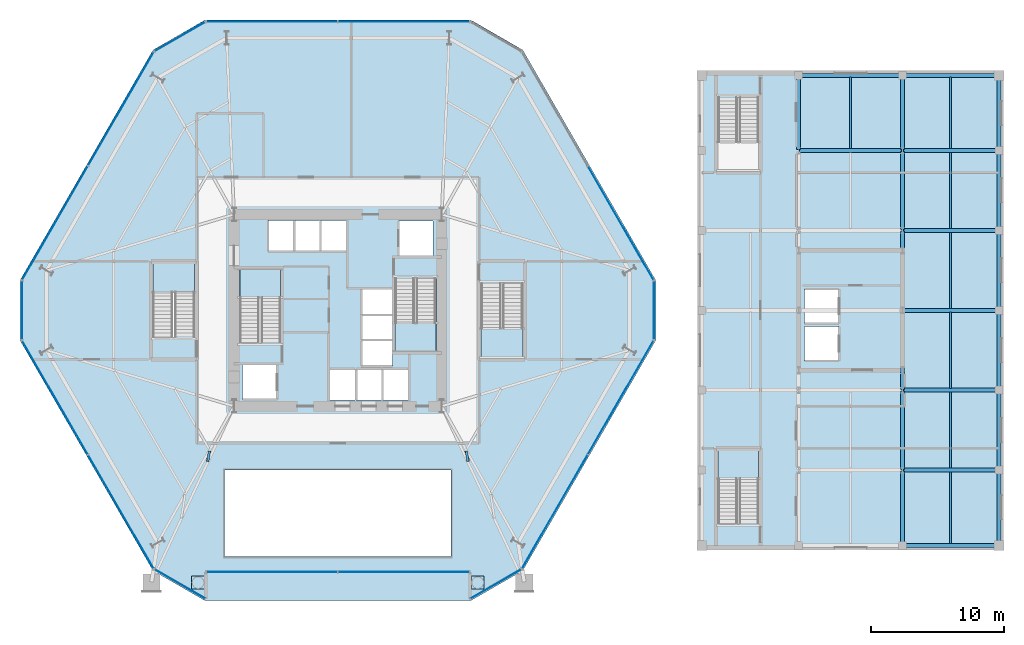
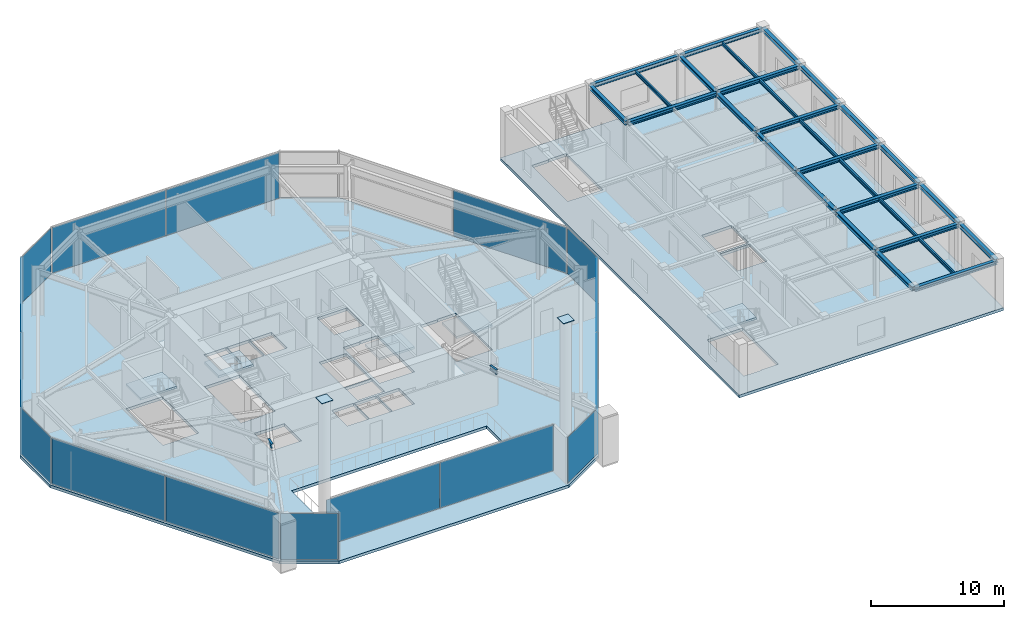
# One storey, part 14 of 22: 31 beams, 18 plates, 7 slabs, 16 elements without a shape of their own.
"""IFC4 building model written with IfcOpenShell, lengths in metres."""

from ifc_helpers import new_model, si_unit, direction, frame, origin, origin_2d, place, context, subcontext, project, spatial, polyline, rectangle, i_section, outline, extrude, material, layer, layer_set, material_profile, profile_set, type_object, element, aggregate, save


model = new_model("IFC4")

# Units and contexts
model_context = context("Model", 3, precision=1e-05, world=origin(), true_north=direction((0.0, 1.0)))
body_context = subcontext(model_context, "Body", "Model", "MODEL_VIEW")
ifc_project = project(units=[si_unit("LENGTHUNIT", "METRE"), si_unit("AREAUNIT", "SQUARE_METRE"), si_unit("VOLUMEUNIT", "CUBIC_METRE"), si_unit("PLANEANGLEUNIT", "RADIAN"), si_unit("MASSUNIT", "GRAM", prefix="KILO")], contexts=[model_context])

# Site, building, storey
site_placement = place(None, origin())
site = spatial("IfcSite", under=ifc_project, at=site_placement, CompositionType="ELEMENT")
building_placement = place(site_placement, origin())
building = spatial("IfcBuilding", under=site, at=building_placement, Name="Kranzbogen Civic Tower", CompositionType="ELEMENT")
storey_placement = place(building_placement, frame((0.0, 0.0, 5.199951171875)))
storey = spatial("IfcBuildingStorey", under=building, at=storey_placement, Name="L01", CompositionType="ELEMENT", Elevation=5.199951171875)

# Beams
ifc_material_1 = material(Name="Steel S355", Category="steel")
ifc_material_profile_1 = material_profile(ifc_material_1, i_section(OverallWidth=0.300048828125, OverallDepth=0.360107421875, WebThickness=0.012451171875, FlangeThickness=0.0224609375, at=origin_2d()), Name="HEB 360")
ifc_profile_set_1 = profile_set([ifc_material_profile_1], Name="Steel S355")
beam_type_1 = type_object("IfcBeamType", Name="Health Centre Primary Floor Beam HEB 360", PredefinedType="BEAM", material=ifc_profile_set_1)
for number, where, z_axis, x_axis, name in (
    (1, (67.4599609375, 7.35009765625, 4.16015625), (1.0, 0.0, 0.0), (0.0, 1.0, 0.0), "L01 Health Centre X girder 3-1"),
    (2, (67.4599609375, 13.0, 4.16015625), (1.0, 0.0, 0.0), (0.0, 1.0, 0.0), "L01 Health Centre X girder 3-2"),
    (3, (67.4599609375, 19.0, 4.16015625), (1.0, 0.0, 0.0), (0.0, 1.0, 0.0), "L01 Health Centre X girder 3-3"),
    (4, (67.4599609375, 25.0, 4.16015625), (1.0, 0.0, 0.0), (0.0, 1.0, 0.0), "L01 Health Centre X girder 3-4"),
    (5, (67.4599609375, 31.0, 4.16015625), (1.0, 0.0, 0.0), (0.0, 1.0, 0.0), "L01 Health Centre X girder 3-5"),
):
    element("IfcBeam", number, at=place(storey_placement, frame(where, z_axis=z_axis, x_axis=x_axis)), inside=storey, type_object=beam_type_1, Name=name, PredefinedType="BEAM", context=body_context, shape_type="SweptSolid", body=[
        extrude(i_section(OverallWidth=0.300048828125, OverallDepth=0.360107421875, WebThickness=0.012451171875, FlangeThickness=0.0224609375, at=origin_2d()), origin(), (0.0, 0.0, 1.0), 7.130126953125),
    ])
beam_1_placement = place(storey_placement, frame((59.659912109375, 37.0, 4.16015625), z_axis=(1.0, 0.0, 0.0), x_axis=(0.0, 1.0, 0.0)))
element("IfcBeam", 6, at=beam_1_placement, inside=storey, type_object=beam_type_1, Name="L01 Health Centre X girder 2-6", PredefinedType="BEAM", context=body_context, shape_type="SweptSolid", body=[
    extrude(i_section(OverallWidth=0.300048828125, OverallDepth=0.360107421875, WebThickness=0.012451171875, FlangeThickness=0.0224609375, at=origin_2d()), origin(), (0.0, 0.0, 1.0), 7.68017578125),
])
beam_2_placement = place(storey_placement, frame((67.4599609375, 37.0, 4.16015625), z_axis=(1.0, 0.0, 0.0), x_axis=(0.0, 1.0, 0.0)))
element("IfcBeam", 7, at=beam_2_placement, inside=storey, type_object=beam_type_1, Name="L01 Health Centre X girder 3-6", PredefinedType="BEAM", context=body_context, shape_type="SweptSolid", body=[
    extrude(i_section(OverallWidth=0.300048828125, OverallDepth=0.360107421875, WebThickness=0.012451171875, FlangeThickness=0.0224609375, at=origin_2d()), origin(), (0.0, 0.0, 1.0), 7.130126953125),
])
beam_3_placement = place(storey_placement, frame((59.659912109375, 42.64990234375, 4.16015625), z_axis=(1.0, 0.0, 0.0), x_axis=(0.0, 1.0, 0.0)))
element("IfcBeam", 8, at=beam_3_placement, inside=storey, type_object=beam_type_1, Name="L01 Health Centre X girder 2-7", PredefinedType="BEAM", context=body_context, shape_type="SweptSolid", body=[
    extrude(i_section(OverallWidth=0.300048828125, OverallDepth=0.360107421875, WebThickness=0.012451171875, FlangeThickness=0.0224609375, at=origin_2d()), origin(), (0.0, 0.0, 1.0), 7.68017578125),
])
beam_4_placement = place(storey_placement, frame((67.4599609375, 42.64990234375, 4.16015625), z_axis=(1.0, 0.0, 0.0), x_axis=(0.0, 1.0, 0.0)))
element("IfcBeam", 9, at=beam_4_placement, inside=storey, type_object=beam_type_1, Name="L01 Health Centre X girder 3-7", PredefinedType="BEAM", context=body_context, shape_type="SweptSolid", body=[
    extrude(i_section(OverallWidth=0.300048828125, OverallDepth=0.360107421875, WebThickness=0.012451171875, FlangeThickness=0.0224609375, at=origin_2d()), origin(), (0.0, 0.0, 1.0), 7.130126953125),
])
for number, where, z_axis, x_axis, name in (
    (10, (67.39990234375, 7.409912109375, 4.16015625), (0.0, 1.0, 0.0), (-1.0, 0.0, 0.0), "L01 Health Centre Y girder 3-1"),
    (11, (74.64990234375, 7.409912109375, 4.16015625), (0.0, 1.0, 0.0), (-1.0, 0.0, 0.0), "L01 Health Centre Y girder 4-1"),
):
    element("IfcBeam", number, at=place(storey_placement, frame(where, z_axis=z_axis, x_axis=x_axis)), inside=storey, type_object=beam_type_1, Name=name, PredefinedType="BEAM", context=body_context, shape_type="SweptSolid", body=[
        extrude(i_section(OverallWidth=0.300048828125, OverallDepth=0.360107421875, WebThickness=0.012451171875, FlangeThickness=0.0224609375, at=origin_2d()), origin(), (0.0, 0.0, 1.0), 5.530029296875),
    ])
for number, where, z_axis, x_axis, name in (
    (12, (67.39990234375, 13.06005859375, 4.16015625), (0.0, 1.0, 0.0), (-1.0, 0.0, 0.0), "L01 Health Centre Y girder 3-2"),
    (13, (74.64990234375, 13.06005859375, 4.16015625), (0.0, 1.0, 0.0), (-1.0, 0.0, 0.0), "L01 Health Centre Y girder 4-2"),
    (14, (67.39990234375, 19.06005859375, 4.16015625), (0.0, 1.0, 0.0), (-1.0, 0.0, 0.0), "L01 Health Centre Y girder 3-3"),
    (15, (74.64990234375, 19.06005859375, 4.16015625), (0.0, 1.0, 0.0), (-1.0, 0.0, 0.0), "L01 Health Centre Y girder 4-3"),
    (16, (67.39990234375, 25.06005859375, 4.16015625), (0.0, 1.0, 0.0), (-1.0, 0.0, 0.0), "L01 Health Centre Y girder 3-4"),
    (17, (74.64990234375, 25.06005859375, 4.16015625), (0.0, 1.0, 0.0), (-1.0, 0.0, 0.0), "L01 Health Centre Y girder 4-4"),
    (18, (67.39990234375, 31.06005859375, 4.16015625), (0.0, 1.0, 0.0), (-1.0, 0.0, 0.0), "L01 Health Centre Y girder 3-5"),
    (19, (74.64990234375, 31.06005859375, 4.16015625), (0.0, 1.0, 0.0), (-1.0, 0.0, 0.0), "L01 Health Centre Y girder 4-5"),
):
    element("IfcBeam", number, at=place(storey_placement, frame(where, z_axis=z_axis, x_axis=x_axis)), inside=storey, type_object=beam_type_1, Name=name, PredefinedType="BEAM", context=body_context, shape_type="SweptSolid", body=[
        extrude(i_section(OverallWidth=0.300048828125, OverallDepth=0.360107421875, WebThickness=0.012451171875, FlangeThickness=0.0224609375, at=origin_2d()), origin(), (0.0, 0.0, 1.0), 5.8798828125),
    ])
for number, where, z_axis, x_axis, name in (
    (20, (59.60009765625, 37.06005859375, 4.16015625), (0.0, 1.0, 0.0), (-1.0, 0.0, 0.0), "L01 Health Centre Y girder 2-6"),
    (21, (67.39990234375, 37.06005859375, 4.16015625), (0.0, 1.0, 0.0), (-1.0, 0.0, 0.0), "L01 Health Centre Y girder 3-6"),
    (22, (74.64990234375, 37.06005859375, 4.16015625), (0.0, 1.0, 0.0), (-1.0, 0.0, 0.0), "L01 Health Centre Y girder 4-6"),
):
    element("IfcBeam", number, at=place(storey_placement, frame(where, z_axis=z_axis, x_axis=x_axis)), inside=storey, type_object=beam_type_1, Name=name, PredefinedType="BEAM", context=body_context, shape_type="SweptSolid", body=[
        extrude(i_section(OverallWidth=0.300048828125, OverallDepth=0.360107421875, WebThickness=0.012451171875, FlangeThickness=0.0224609375, at=origin_2d()), origin(), (0.0, 0.0, 1.0), 5.530029296875),
    ])
ifc_material_profile_2 = material_profile(ifc_material_1, i_section(OverallWidth=0.14990234375, OverallDepth=0.300048828125, WebThickness=0.007080078125, FlangeThickness=0.0107421875, at=origin_2d()), Name="IPE 300")
ifc_profile_set_2 = profile_set([ifc_material_profile_2], Name="Steel S355")
beam_type_2 = type_object("IfcBeamType", Name="Health Centre Secondary Joist IPE 300", PredefinedType="JOIST", material=ifc_profile_set_2)
beam_5_placement = place(storey_placement, frame((71.02490234375, 7.489990234375, 4.18994140625), z_axis=(0.0, 1.0, 0.0), x_axis=(-1.0, 0.0, 0.0)))
element("IfcBeam", 23, at=beam_5_placement, inside=storey, type_object=beam_type_2, Name="L01 Health Centre secondary joist 3-1", PredefinedType="JOIST", context=body_context, shape_type="SweptSolid", body=[
    extrude(i_section(OverallWidth=0.14990234375, OverallDepth=0.300048828125, WebThickness=0.007080078125, FlangeThickness=0.0107421875, at=origin_2d()), origin(), (0.0, 0.0, 1.0), 5.3701171875),
])
for number, where, z_axis, x_axis, name in (
    (24, (71.02490234375, 13.139892578125, 4.18994140625), (0.0, 1.0, 0.0), (-1.0, 0.0, 0.0), "L01 Health Centre secondary joist 3-2"),
    (25, (71.02490234375, 19.139892578125, 4.18994140625), (0.0, 1.0, 0.0), (-1.0, 0.0, 0.0), "L01 Health Centre secondary joist 3-3"),
    (26, (71.02490234375, 25.139892578125, 4.18994140625), (0.0, 1.0, 0.0), (-1.0, 0.0, 0.0), "L01 Health Centre secondary joist 3-4"),
    (27, (71.02490234375, 31.139892578125, 4.18994140625), (0.0, 1.0, 0.0), (-1.0, 0.0, 0.0), "L01 Health Centre secondary joist 3-5"),
):
    element("IfcBeam", number, at=place(storey_placement, frame(where, z_axis=z_axis, x_axis=x_axis)), inside=storey, type_object=beam_type_2, Name=name, PredefinedType="JOIST", context=body_context, shape_type="SweptSolid", body=[
        extrude(i_section(OverallWidth=0.14990234375, OverallDepth=0.300048828125, WebThickness=0.007080078125, FlangeThickness=0.0107421875, at=origin_2d()), origin(), (0.0, 0.0, 1.0), 5.72021484375),
    ])
for number, where, z_axis, x_axis, name in (
    (28, (63.5, 37.139892578125, 4.18994140625), (0.0, 1.0, 0.0), (-1.0, 0.0, 0.0), "L01 Health Centre secondary joist 2-6"),
    (29, (71.02490234375, 37.139892578125, 4.18994140625), (0.0, 1.0, 0.0), (-1.0, 0.0, 0.0), "L01 Health Centre secondary joist 3-6"),
):
    element("IfcBeam", number, at=place(storey_placement, frame(where, z_axis=z_axis, x_axis=x_axis)), inside=storey, type_object=beam_type_2, Name=name, PredefinedType="JOIST", context=body_context, shape_type="SweptSolid", body=[
        extrude(i_section(OverallWidth=0.14990234375, OverallDepth=0.300048828125, WebThickness=0.007080078125, FlangeThickness=0.0107421875, at=origin_2d()), origin(), (0.0, 0.0, 1.0), 5.3701171875),
    ])
ifc_material_profile_3 = material_profile(ifc_material_1, i_section(OverallWidth=0.179931640625, OverallDepth=0.39990234375, WebThickness=0.008544921875, FlangeThickness=0.013427734375, at=origin_2d()), Name="IPE 400")
ifc_profile_set_3 = profile_set([ifc_material_profile_3], Name="Steel S355")
beam_type_3 = type_object("IfcBeamType", Name="Secondary Composite Floor Joist IPE 400", PredefinedType="JOIST", material=ifc_profile_set_3)
for number, where, z_axis, x_axis, name in (
    (30, (15.35400390625, 14.43603515625, 4.14013671875), (-0.156102387059, -0.987740879358, 0.0), (0.987740879358, -0.156102387059, 0.0), "L01 secondary floor joist 2.02"),
    (31, (34.77197265625, 13.638916015625, 4.14013671875), (-0.156102387059, 0.987740879358, 0.0), (-0.987740879358, -0.156102387059, 0.0), "L01 secondary floor joist 2.04"),
):
    element("IfcBeam", number, at=place(storey_placement, frame(where, z_axis=z_axis, x_axis=x_axis)), inside=storey, type_object=beam_type_3, Name=name, PredefinedType="JOIST", context=body_context, shape_type="SweptSolid", body=[
        extrude(i_section(OverallWidth=0.179931640625, OverallDepth=0.39990234375, WebThickness=0.008544921875, FlangeThickness=0.013427734375, at=origin_2d()), origin(), (0.0, 0.0, 1.0), 0.80712890625),
    ])

# Slabs
ifc_material_2 = material(Name="Concrete C40/50", Category="concrete")
ifc_layer_1 = layer(ifc_material_2, 0.260009765625, Name="Concrete C40/50")
ifc_layer_set_1 = layer_set([ifc_layer_1], Name="Concrete C40/50")
slab_type_1 = type_object("IfcSlabType", Name="Composite Podium and Sky Lobby Floor Slab 260 mm", PredefinedType="FLOOR", material=ifc_layer_set_1)
slab_1_placement = place(storey_placement, frame((0.0, 0.0, -0.260009765625)))
element("IfcSlab", 32, at=slab_1_placement, inside=storey, type_object=slab_type_1, Name="L01 tower floor slab", PredefinedType="FLOOR", context=body_context, shape_type="SweptSolid", body=[
    extrude(outline(polyline([(48.873046875, 27.25), (38.885009765625, 44.550048828125), (34.988037109375, 46.800048828125), (15.011962890625, 46.800048828125), (11.114990234375, 44.550048828125), (1.126953125, 27.25), (1.126953125, 22.75), (11.114990234375, 5.449951171875), (15.011962890625, 3.199951171875), (34.988037109375, 3.199951171875), (38.885009765625, 5.449951171875), (48.873046875, 22.75), (48.873046875, 27.25)]), holes=[polyline([(33.5, 6.5), (16.5, 6.5), (16.5, 13.0), (33.5, 13.0), (33.5, 6.5)]), polyline([(26.300048828125, 18.25), (24.39990234375, 18.25), (24.39990234375, 20.60009765625), (26.300048828125, 20.60009765625), (26.300048828125, 18.25)]), polyline([(28.27490234375, 18.25), (26.375, 18.25), (26.375, 20.60009765625), (28.27490234375, 20.60009765625), (28.27490234375, 18.25)]), polyline([(20.449951171875, 18.300048828125), (17.85009765625, 18.300048828125), (17.85009765625, 20.89990234375), (20.449951171875, 20.89990234375), (20.449951171875, 18.300048828125)]), polyline([(26.75, 20.800048828125), (26.75, 22.699951171875), (29.10009765625, 22.699951171875), (29.10009765625, 20.800048828125), (26.75, 20.800048828125)]), polyline([(20.699951171875, 28.10009765625), (20.699951171875, 22.659912109375), (19.25, 22.659912109375), (19.25, 22.60009765625), (17.64990234375, 22.60009765625), (17.64990234375, 28.10009765625), (20.699951171875, 28.10009765625)]), polyline([(14.25, 28.550048828125), (14.25, 23.06005859375), (12.75, 23.06005859375), (12.75, 23.0), (11.10009765625, 23.0), (11.10009765625, 28.550048828125), (14.25, 28.550048828125)]), polyline([(19.75, 31.75), (21.64990234375, 31.75), (21.64990234375, 29.39990234375), (19.75, 29.39990234375), (19.75, 31.75)]), polyline([(21.72509765625, 31.75), (23.625, 31.75), (23.625, 29.39990234375), (21.72509765625, 29.39990234375), (21.72509765625, 31.75)]), polyline([(25.60009765625, 29.39990234375), (23.699951171875, 29.39990234375), (23.699951171875, 31.75), (25.60009765625, 31.75), (25.60009765625, 29.39990234375)]), polyline([(30.25, 18.25), (28.35009765625, 18.25), (28.35009765625, 20.60009765625), (30.25, 20.60009765625), (30.25, 18.25)]), polyline([(35.75, 26.93994140625), (37.25, 26.93994140625), (37.25, 27.0), (38.89990234375, 27.0), (38.89990234375, 21.449951171875), (35.75, 21.449951171875), (35.75, 26.93994140625)]), polyline([(29.300048828125, 21.89990234375), (29.300048828125, 27.340087890625), (30.75, 27.340087890625), (30.75, 27.39990234375), (32.35009765625, 27.39990234375), (32.35009765625, 21.89990234375), (29.300048828125, 21.89990234375)]), polyline([(26.75, 26.550048828125), (29.10009765625, 26.550048828125), (29.10009765625, 24.675048828125), (29.10009765625, 24.64990234375), (29.10009765625, 22.77490234375), (26.75, 22.77490234375), (26.75, 24.64990234375), (26.75, 24.675048828125), (26.75, 26.550048828125)]), polyline([(29.550048828125, 31.699951171875), (32.14990234375, 31.699951171875), (32.14990234375, 29.10009765625), (29.550048828125, 29.10009765625), (29.550048828125, 31.699951171875)])]), origin(), (0.0, 0.0, 1.0), 0.260009765625),
])
slab_2_placement = place(storey_placement, frame((0.0, 0.0, -0.260009765625)))
element("IfcSlab", 33, at=slab_2_placement, inside=storey, type_object=slab_type_1, Name="L01 Community Health Centre floor slab", PredefinedType="FLOOR", context=body_context, shape_type="SweptSolid", body=[
    extrude(outline(polyline([(75.0, 7.0), (75.0, 43.0), (52.0, 43.0), (52.0, 7.0), (75.0, 7.0)]), holes=[polyline([(55.14990234375, 9.06005859375), (55.14990234375, 9.0), (53.550048828125, 9.0), (53.550048828125, 14.5), (56.60009765625, 14.5), (56.60009765625, 9.06005859375), (55.14990234375, 9.06005859375)]), polyline([(60.050048828125, 21.199951171875), (60.050048828125, 23.800048828125), (62.64990234375, 23.800048828125), (62.64990234375, 21.199951171875), (60.050048828125, 21.199951171875)]), polyline([(62.64990234375, 24.0), (60.050048828125, 24.0), (60.050048828125, 26.60009765625), (62.64990234375, 26.60009765625), (62.64990234375, 24.0)]), polyline([(55.0, 41.0), (56.60009765625, 41.0), (56.60009765625, 35.5), (53.550048828125, 35.5), (53.550048828125, 40.93994140625), (55.0, 40.93994140625), (55.0, 41.0)])]), origin(), (0.0, 0.0, 1.0), 0.260009765625),
])

# Curtain wall, plate
ifc_material_3 = material(Name="Pale Anodised Aluminium", Category="aluminium")
ifc_layer_2 = layer(ifc_material_3, 0.219970703125, Name="Pale Anodised Aluminium")
ifc_layer_set_2 = layer_set([ifc_layer_2], Name="Pale Anodised Aluminium")
curtain_wall_type_1 = type_object("IfcCurtainWallType", Name="Chamfer Facet Stick Curtain Wall System CW-06", PredefinedType="USERDEFINED", material=ifc_layer_set_2)
curtain_wall_1_placement = place(storey_placement, origin())
curtain_wall_1 = element("IfcCurtainWall", 34, at=curtain_wall_1_placement, inside=storey, type_object=curtain_wall_type_1, Name="L01 curtain wall CW-L01-C2", ObjectType="STICK CURTAIN WALL", PredefinedType="USERDEFINED")
ifc_material_4 = material(Name="Low-E Triple Glazing Glass", Category="glass")
ifc_layer_3 = layer(ifc_material_4, 0.02587890625, Name="Low-E Triple Glazing Glass")
ifc_layer_set_3 = layer_set([ifc_layer_3], Name="Low-E Triple Glazing Glass")
plate_type_1 = type_object("IfcPlateType", Name="Insulated Low-E Glazing Panel 26 mm", PredefinedType="CURTAIN_PANEL", material=ifc_layer_set_3)
plate_1_placement = place(storey_placement, frame((13.133056640625, 45.554443359375, 0.06005859375), z_axis=(0.0, 0.0, 1.0), x_axis=(-0.865992001897, -0.500057849305, 0.0)))
plate_1 = element("IfcPlate", 35, at=plate_1_placement, type_object=plate_type_1, Name="CW-06 panel 1.1", PredefinedType="CURTAIN_PANEL", context=body_context, shape_type="SweptSolid", body=[
    extrude(rectangle(XDim=4.353515625, YDim=0.028076171875, at=origin_2d()), origin(), (0.0, 0.0, 1.0), 4.219970703125),
])
aggregate(curtain_wall_1, [plate_1])

curtain_wall_2_placement = place(storey_placement, origin())
curtain_wall_2 = element("IfcCurtainWall", 36, at=curtain_wall_2_placement, inside=storey, type_object=curtain_wall_type_1, Name="L01 curtain wall CW-L01-C3", ObjectType="STICK CURTAIN WALL", PredefinedType="USERDEFINED")
plate_2_placement = place(storey_placement, frame((1.26611328125, 25.0, 0.06005859375), z_axis=(0.0, 0.0, 1.0), x_axis=(0.0, -1.0, 0.0)))
plate_2 = element("IfcPlate", 37, at=plate_2_placement, type_object=plate_type_1, Name="CW-06 panel 1.1", PredefinedType="CURTAIN_PANEL", context=body_context, shape_type="SweptSolid", body=[
    extrude(rectangle(XDim=4.35400390625, YDim=0.028076171875, at=origin_2d()), origin(), (0.0, 0.0, 1.0), 4.219970703125),
])
aggregate(curtain_wall_2, [plate_2])

curtain_wall_3_placement = place(storey_placement, origin())
curtain_wall_3 = element("IfcCurtainWall", 38, at=curtain_wall_3_placement, inside=storey, type_object=curtain_wall_type_1, Name="L01 curtain wall CW-L01-C4", ObjectType="STICK CURTAIN WALL", PredefinedType="USERDEFINED")
plate_3_placement = place(storey_placement, frame((13.133056640625, 4.445556640625, 0.06005859375), z_axis=(0.0, 0.0, 1.0), x_axis=(0.865992001897, -0.500057849305, 0.0)))
plate_3 = element("IfcPlate", 39, at=plate_3_placement, type_object=plate_type_1, Name="CW-06 panel 1.1", PredefinedType="CURTAIN_PANEL", context=body_context, shape_type="SweptSolid", body=[
    extrude(rectangle(XDim=4.353515625, YDim=0.028076171875, at=origin_2d()), origin(), (0.0, 0.0, 1.0), 4.219970703125),
])
aggregate(curtain_wall_3, [plate_3])

curtain_wall_4_placement = place(storey_placement, origin())
curtain_wall_4 = element("IfcCurtainWall", 40, at=curtain_wall_4_placement, inside=storey, type_object=curtain_wall_type_1, Name="L01 curtain wall CW-L01-C5", ObjectType="STICK CURTAIN WALL", PredefinedType="USERDEFINED")
plate_4_placement = place(storey_placement, frame((36.866943359375, 4.445556640625, 0.06005859375), z_axis=(0.0, 0.0, 1.0), x_axis=(0.865992001897, 0.500057849305, 0.0)))
plate_4 = element("IfcPlate", 41, at=plate_4_placement, type_object=plate_type_1, Name="CW-06 panel 1.1", PredefinedType="CURTAIN_PANEL", context=body_context, shape_type="SweptSolid", body=[
    extrude(rectangle(XDim=4.353515625, YDim=0.028076171875, at=origin_2d()), origin(), (0.0, 0.0, 1.0), 4.219970703125),
])
aggregate(curtain_wall_4, [plate_4])

curtain_wall_5_placement = place(storey_placement, origin())
curtain_wall_5 = element("IfcCurtainWall", 42, at=curtain_wall_5_placement, inside=storey, type_object=curtain_wall_type_1, Name="L01 curtain wall CW-L01-C6", ObjectType="STICK CURTAIN WALL", PredefinedType="USERDEFINED")
plate_5_placement = place(storey_placement, frame((48.73388671875, 25.0, 0.06005859375), z_axis=(0.0, 0.0, 1.0), x_axis=(0.0, 1.0, 0.0)))
plate_5 = element("IfcPlate", 43, at=plate_5_placement, type_object=plate_type_1, Name="CW-06 panel 1.1", PredefinedType="CURTAIN_PANEL", context=body_context, shape_type="SweptSolid", body=[
    extrude(rectangle(XDim=4.35400390625, YDim=0.028076171875, at=origin_2d()), origin(), (0.0, 0.0, 1.0), 4.219970703125),
])
aggregate(curtain_wall_5, [plate_5])

ifc_layer_4 = layer(ifc_material_3, 0.219970703125, Name="Pale Anodised Aluminium")
ifc_layer_set_4 = layer_set([ifc_layer_4], Name="Pale Anodised Aluminium")
curtain_wall_type_2 = type_object("IfcCurtainWallType", Name="Podium Stick Curtain Wall System CW-01", PredefinedType="USERDEFINED", material=ifc_layer_set_4)
curtain_wall_6_placement = place(storey_placement, origin())
curtain_wall_6 = element("IfcCurtainWall", 44, at=curtain_wall_6_placement, inside=storey, type_object=curtain_wall_type_2, Name="L01 curtain wall CW-L01-F1", ObjectType="STICK CURTAIN WALL", PredefinedType="USERDEFINED")
ifc_layer_5 = layer(ifc_material_4, 0.035888671875, Name="Low-E Triple Glazing Glass")
ifc_layer_set_5 = layer_set([ifc_layer_5], Name="Low-E Triple Glazing Glass")
plate_type_2 = type_object("IfcPlateType", Name="Insulated Low-E Glazing Panel 36 mm", PredefinedType="CURTAIN_PANEL", material=ifc_layer_set_5)
plate_6_placement = place(storey_placement, frame((46.243896484375, 31.5498046875, 0.06005859375), z_axis=(0.0, 0.0, 1.0), x_axis=(-0.500005767433, 0.86602207393, 0.0)))
plate_6 = element("IfcPlate", 45, at=plate_6_placement, type_object=plate_type_2, Name="CW-01 panel 1.1", PredefinedType="CURTAIN_PANEL", context=body_context, shape_type="SweptSolid", body=[
    extrude(rectangle(XDim=9.83984375, YDim=0.028076171875, at=origin_2d()), origin(), (0.0, 0.0, 1.0), 4.219970703125),
])
aggregate(curtain_wall_6, [plate_6])

# Curtain wall, plates
curtain_wall_7_placement = place(storey_placement, origin())
curtain_wall_7 = element("IfcCurtainWall", 46, at=curtain_wall_7_placement, inside=storey, type_object=curtain_wall_type_2, Name="L01 curtain wall CW-L01-F2", ObjectType="STICK CURTAIN WALL", PredefinedType="USERDEFINED")
plate_7_placement = place(storey_placement, frame((29.949951171875, 46.673095703125, 0.06005859375), z_axis=(0.0, 0.0, 1.0), x_axis=(-1.0, 0.0, 0.0)))
plate_7 = element("IfcPlate", 47, at=plate_7_placement, type_object=plate_type_2, Name="CW-01 panel 1.1", PredefinedType="CURTAIN_PANEL", context=body_context, shape_type="SweptSolid", body=[
    extrude(rectangle(XDim=9.840087890625, YDim=0.028076171875, at=origin_2d()), origin(), (0.0, 0.0, 1.0), 4.219970703125),
])
plate_8_placement = place(storey_placement, frame((20.050048828125, 46.673095703125, 0.06005859375), z_axis=(0.0, 0.0, 1.0), x_axis=(-1.0, 0.0, 0.0)))
plate_8 = element("IfcPlate", 48, at=plate_8_placement, type_object=plate_type_2, Name="CW-01 panel 2.1", PredefinedType="CURTAIN_PANEL", context=body_context, shape_type="SweptSolid", body=[
    extrude(rectangle(XDim=9.840087890625, YDim=0.028076171875, at=origin_2d()), origin(), (0.0, 0.0, 1.0), 4.219970703125),
])
aggregate(curtain_wall_7, [plate_7, plate_8])

curtain_wall_8_placement = place(storey_placement, origin())
curtain_wall_8 = element("IfcCurtainWall", 49, at=curtain_wall_8_placement, inside=storey, type_object=curtain_wall_type_2, Name="L01 curtain wall CW-L01-F3", ObjectType="STICK CURTAIN WALL", PredefinedType="USERDEFINED")
plate_9_placement = place(storey_placement, frame((8.7060546875, 40.123291015625, 0.06005859375), z_axis=(0.0, 0.0, 1.0), x_axis=(-0.500005767433, -0.86602207393, 0.0)))
plate_9 = element("IfcPlate", 50, at=plate_9_placement, type_object=plate_type_2, Name="CW-01 panel 1.1", PredefinedType="CURTAIN_PANEL", context=body_context, shape_type="SweptSolid", body=[
    extrude(rectangle(XDim=9.83984375, YDim=0.028076171875, at=origin_2d()), origin(), (0.0, 0.0, 1.0), 4.219970703125),
])
plate_10_placement = place(storey_placement, frame((3.756103515625, 31.5498046875, 0.06005859375), z_axis=(0.0, 0.0, 1.0), x_axis=(-0.500005767433, -0.86602207393, 0.0)))
plate_10 = element("IfcPlate", 51, at=plate_10_placement, type_object=plate_type_2, Name="CW-01 panel 2.1", PredefinedType="CURTAIN_PANEL", context=body_context, shape_type="SweptSolid", body=[
    extrude(rectangle(XDim=9.83984375, YDim=0.028076171875, at=origin_2d()), origin(), (0.0, 0.0, 1.0), 4.219970703125),
])
aggregate(curtain_wall_8, [plate_9, plate_10])

curtain_wall_9_placement = place(storey_placement, origin())
curtain_wall_9 = element("IfcCurtainWall", 52, at=curtain_wall_9_placement, inside=storey, type_object=curtain_wall_type_2, Name="L01 curtain wall CW-L01-F4", ObjectType="STICK CURTAIN WALL", PredefinedType="USERDEFINED")
plate_11_placement = place(storey_placement, frame((3.756103515625, 18.4501953125, 0.06005859375), z_axis=(0.0, 0.0, 1.0), x_axis=(0.500005767433, -0.86602207393, 0.0)))
plate_11 = element("IfcPlate", 53, at=plate_11_placement, type_object=plate_type_2, Name="CW-01 panel 1.1", PredefinedType="CURTAIN_PANEL", context=body_context, shape_type="SweptSolid", body=[
    extrude(rectangle(XDim=9.83984375, YDim=0.028076171875, at=origin_2d()), origin(), (0.0, 0.0, 1.0), 4.219970703125),
])
plate_12_placement = place(storey_placement, frame((8.7060546875, 9.876708984375, 0.06005859375), z_axis=(0.0, 0.0, 1.0), x_axis=(0.500005767433, -0.86602207393, 0.0)))
plate_12 = element("IfcPlate", 54, at=plate_12_placement, type_object=plate_type_2, Name="CW-01 panel 2.1", PredefinedType="CURTAIN_PANEL", context=body_context, shape_type="SweptSolid", body=[
    extrude(rectangle(XDim=9.83984375, YDim=0.028076171875, at=origin_2d()), origin(), (0.0, 0.0, 1.0), 4.219970703125),
])
aggregate(curtain_wall_9, [plate_11, plate_12])

curtain_wall_10_placement = place(storey_placement, origin())
curtain_wall_10 = element("IfcCurtainWall", 55, at=curtain_wall_10_placement, inside=storey, type_object=curtain_wall_type_2, Name="L01 curtain wall CW-L01-F5", ObjectType="STICK CURTAIN WALL", PredefinedType="USERDEFINED")
plate_13_placement = place(storey_placement, frame((20.050048828125, 5.35009765625, 0.06005859375), z_axis=(0.0, 0.0, 1.0), x_axis=(1.0, 0.0, 0.0)))
plate_13 = element("IfcPlate", 56, at=plate_13_placement, type_object=plate_type_2, Name="CW-01 panel 1.1", PredefinedType="CURTAIN_PANEL", context=body_context, shape_type="SweptSolid", body=[
    extrude(rectangle(XDim=9.840087890625, YDim=0.028076171875, at=origin_2d()), origin(), (0.0, 0.0, 1.0), 4.219970703125),
])
plate_14_placement = place(storey_placement, frame((29.949951171875, 5.35009765625, 0.06005859375), z_axis=(0.0, 0.0, 1.0), x_axis=(1.0, 0.0, 0.0)))
plate_14 = element("IfcPlate", 57, at=plate_14_placement, type_object=plate_type_2, Name="CW-01 panel 2.1", PredefinedType="CURTAIN_PANEL", context=body_context, shape_type="SweptSolid", body=[
    extrude(rectangle(XDim=9.840087890625, YDim=0.028076171875, at=origin_2d()), origin(), (0.0, 0.0, 1.0), 4.219970703125),
])
aggregate(curtain_wall_10, [plate_13, plate_14])

curtain_wall_11_placement = place(storey_placement, origin())
curtain_wall_11 = element("IfcCurtainWall", 58, at=curtain_wall_11_placement, inside=storey, type_object=curtain_wall_type_2, Name="L01 curtain wall CW-L01-F6", ObjectType="STICK CURTAIN WALL", PredefinedType="USERDEFINED")
plate_15_placement = place(storey_placement, frame((41.2939453125, 9.876708984375, 0.06005859375), z_axis=(0.0, 0.0, 1.0), x_axis=(0.500005767433, 0.86602207393, 0.0)))
plate_15 = element("IfcPlate", 59, at=plate_15_placement, type_object=plate_type_2, Name="CW-01 panel 1.1", PredefinedType="CURTAIN_PANEL", context=body_context, shape_type="SweptSolid", body=[
    extrude(rectangle(XDim=9.83984375, YDim=0.028076171875, at=origin_2d()), origin(), (0.0, 0.0, 1.0), 4.219970703125),
])
plate_16_placement = place(storey_placement, frame((46.243896484375, 18.4501953125, 0.06005859375), z_axis=(0.0, 0.0, 1.0), x_axis=(0.500005767433, 0.86602207393, 0.0)))
plate_16 = element("IfcPlate", 60, at=plate_16_placement, type_object=plate_type_2, Name="CW-01 panel 2.1", PredefinedType="CURTAIN_PANEL", context=body_context, shape_type="SweptSolid", body=[
    extrude(rectangle(XDim=9.83984375, YDim=0.028076171875, at=origin_2d()), origin(), (0.0, 0.0, 1.0), 4.219970703125),
])
aggregate(curtain_wall_11, [plate_15, plate_16])

# Plates
ifc_material_5 = material(Name="Steel S460", Category="steel")
ifc_layer_6 = layer(ifc_material_5, 0.034912109375, Name="Steel S460")
ifc_layer_set_6 = layer_set([ifc_layer_6], Name="Steel S460")
plate_type_3 = type_object("IfcPlateType", Name="Portal Arch Sealed End Cap Plate 1120x1120x35", PredefinedType="SHEET", material=ifc_layer_set_6)
for number, where, z_axis, x_axis, name in (
    (61, (14.5, 4.550048828125, 14.24951171875), (0.0, 0.0, 1.0), (1.0, 0.0, 0.0), "STR-1: Portal arch transfer post 1 end cap 2"),
    (62, (35.5, 4.550048828125, 14.24951171875), (0.0, 0.0, 1.0), (1.0, 0.0, 0.0), "STR-1: Portal arch transfer post 7 end cap 2"),
):
    element("IfcPlate", number, at=place(storey_placement, frame(where, z_axis=z_axis, x_axis=x_axis)), inside=storey, type_object=plate_type_3, Name=name, PredefinedType="SHEET", context=body_context, shape_type="SweptSolid", body=[
        extrude(rectangle(XDim=0.9599609375, YDim=0.9599609375, at=origin_2d()), origin(), (0.0, 0.0, 1.0), 0.034912109375),
    ])

# Stair, slab
ifc_material_6 = material(Name="Precast concrete C40/50", Category="concrete")
stair_type_1 = type_object("IfcStairType", Name="Tower Core Pressurized Dogleg Stair 1450", PredefinedType="HALF_TURN_STAIR", material=ifc_material_6)
stair_1_placement = place(storey_placement, origin())
stair_1 = element("IfcStair", 63, at=stair_1_placement, inside=storey, type_object=stair_type_1, Name="L01 Tower Core Pressurized Stair 1", PredefinedType="HALF_TURN_STAIR")
ifc_layer_7 = layer(ifc_material_6, 0.199951171875, Name="Precast concrete C40/50")
ifc_layer_set_7 = layer_set([ifc_layer_7], Name="Precast concrete C40/50")
slab_type_2 = type_object("IfcSlabType", Name="Precast Concrete Stair Landing Slab 200 mm", PredefinedType="LANDING", material=ifc_layer_set_7)
slab_3_placement = place(storey_placement, frame((0.0, 0.0, 2.10009765625)))
slab_3 = element("IfcSlab", 64, at=slab_3_placement, type_object=slab_type_2, Name="ST-T1 landing 1", PredefinedType="LANDING", context=body_context, shape_type="SweptSolid", body=[
    extrude(outline(polyline([(20.699951171875, 25.9599609375), (20.699951171875, 28.10009765625), (17.64990234375, 28.10009765625), (17.64990234375, 25.9599609375), (20.699951171875, 25.9599609375)])), origin(), (0.0, 0.0, 1.0), 0.199951171875),
])
aggregate(stair_1, [slab_3])

stair_type_2 = type_object("IfcStairType", Name="Tower Core Secondary Dogleg Stair 1450", PredefinedType="HALF_TURN_STAIR", material=ifc_material_6)
stair_2_placement = place(storey_placement, origin())
stair_2 = element("IfcStair", 65, at=stair_2_placement, inside=storey, type_object=stair_type_2, Name="L01 Tower Core Pressurized Stair 2", PredefinedType="HALF_TURN_STAIR")
slab_4_placement = place(storey_placement, frame((0.0, 0.0, 2.10009765625)))
slab_4 = element("IfcSlab", 66, at=slab_4_placement, type_object=slab_type_2, Name="ST-T2 landing 1", PredefinedType="LANDING", context=body_context, shape_type="SweptSolid", body=[
    extrude(outline(polyline([(29.300048828125, 24.0400390625), (29.300048828125, 21.89990234375), (32.35009765625, 21.89990234375), (32.35009765625, 24.0400390625), (29.300048828125, 24.0400390625)])), origin(), (0.0, 0.0, 1.0), 0.199951171875),
])
aggregate(stair_2, [slab_4])

stair_type_3 = type_object("IfcStairType", Name="Podium Assembly Dogleg Stair 1500", PredefinedType="HALF_TURN_STAIR", material=ifc_material_6)
stair_3_placement = place(storey_placement, origin())
stair_3 = element("IfcStair", 67, at=stair_3_placement, inside=storey, type_object=stair_type_3, Name="L01 Podium Assembly Stair West", PredefinedType="HALF_TURN_STAIR")
slab_5_placement = place(storey_placement, frame((0.0, 0.0, 2.10009765625)))
slab_5 = element("IfcSlab", 68, at=slab_5_placement, type_object=slab_type_2, Name="ST-P1 landing 1", PredefinedType="LANDING", context=body_context, shape_type="SweptSolid", body=[
    extrude(outline(polyline([(14.25, 26.360107421875), (14.25, 28.550048828125), (11.10009765625, 28.550048828125), (11.10009765625, 26.360107421875), (14.25, 26.360107421875)])), origin(), (0.0, 0.0, 1.0), 0.199951171875),
])
aggregate(stair_3, [slab_5])

stair_4_placement = place(storey_placement, origin())
stair_4 = element("IfcStair", 69, at=stair_4_placement, inside=storey, type_object=stair_type_3, Name="L01 Podium Assembly Stair East", PredefinedType="HALF_TURN_STAIR")
slab_6_placement = place(storey_placement, frame((0.0, 0.0, 2.10009765625)))
slab_6 = element("IfcSlab", 70, at=slab_6_placement, type_object=slab_type_2, Name="ST-P2 landing 1", PredefinedType="LANDING", context=body_context, shape_type="SweptSolid", body=[
    extrude(outline(polyline([(35.75, 23.639892578125), (35.75, 21.449951171875), (38.89990234375, 21.449951171875), (38.89990234375, 23.639892578125), (35.75, 23.639892578125)])), origin(), (0.0, 0.0, 1.0), 0.199951171875),
])
aggregate(stair_4, [slab_6])

stair_type_4 = type_object("IfcStairType", Name="Health Centre Escape Dogleg Stair 1450", PredefinedType="HALF_TURN_STAIR", material=ifc_material_6)
stair_5_placement = place(storey_placement, origin())
stair_5 = element("IfcStair", 71, at=stair_5_placement, inside=storey, type_object=stair_type_4, Name="L01 Health Centre Escape Stair 1", PredefinedType="HALF_TURN_STAIR")
slab_7_placement = place(storey_placement, frame((0.0, 0.0, 2.10009765625)))
slab_7 = element("IfcSlab", 72, at=slab_7_placement, type_object=slab_type_2, Name="ST-H1 landing 1", PredefinedType="LANDING", context=body_context, shape_type="SweptSolid", body=[
    extrude(outline(polyline([(56.60009765625, 12.360107421875), (56.60009765625, 14.5), (53.550048828125, 14.5), (53.550048828125, 12.360107421875), (56.60009765625, 12.360107421875)])), origin(), (0.0, 0.0, 1.0), 0.199951171875),
])
aggregate(stair_5, [slab_7])

save(model, "model.ifc")
